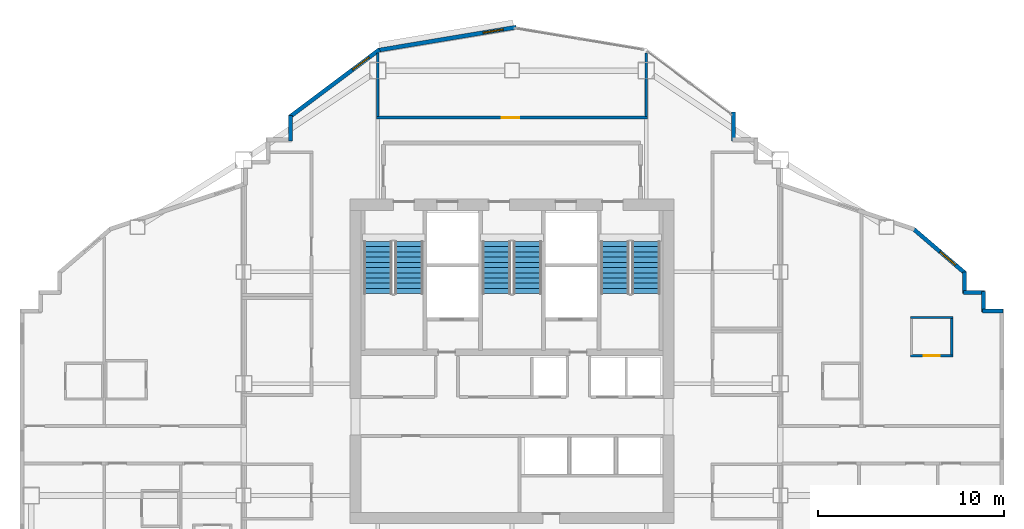
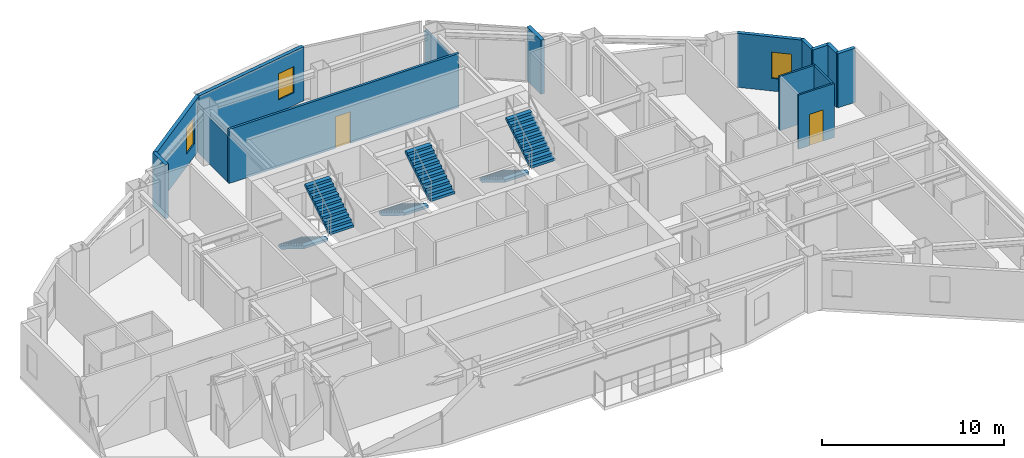
# One storey, part 9 of 11: 15 walls, 6 stair flights, 3 windows, 2 doors, 5 openings, 3 elements without a shape of their own.
"""IFC4 building model written with IfcOpenShell, lengths in metres."""

from ifc_helpers import new_model, si_unit, direction, frame, frame_2d, origin, place, context, subcontext, project, spatial, polyline, rectangle, outline, extrude, material, layer, layer_set, type_object, element, fill, aggregate, save


model = new_model("IFC4")

# Units and contexts
model_context = context("Model", 3, precision=1e-05, world=origin(), true_north=direction((0.0, 1.0)))
body_context = subcontext(model_context, "Body", "Model", "MODEL_VIEW")
ifc_project = project(units=[si_unit("LENGTHUNIT", "METRE"), si_unit("AREAUNIT", "SQUARE_METRE"), si_unit("VOLUMEUNIT", "CUBIC_METRE"), si_unit("PLANEANGLEUNIT", "RADIAN"), si_unit("MASSUNIT", "GRAM", prefix="KILO")], contexts=[model_context])

# Site, building, storey
site_placement = place(None, origin())
site = spatial("IfcSite", under=ifc_project, at=site_placement, CompositionType="ELEMENT")
building_placement = place(site_placement, origin())
building = spatial("IfcBuilding", under=site, at=building_placement, Name="Haolan Belvedere Tower", CompositionType="ELEMENT")
storey_placement = place(building_placement, frame((0.0, 0.0, 199.39990234375)))
storey = spatial("IfcBuildingStorey", under=building, at=storey_placement, Name="L50", CompositionType="ELEMENT", Elevation=199.39990234375)

# Walls
ifc_material_1 = material(Name="Precast concrete C40/50", Category="concrete")
ifc_layer_1 = layer(ifc_material_1, 0.219970703125, Name="Precast concrete C40/50")
ifc_layer_set_1 = layer_set([ifc_layer_1], Name="Precast concrete C40/50")
wall_type_1 = type_object("IfcWallType", Name="WL-EXT-220", PredefinedType="SOLIDWALL", material=ifc_layer_set_1)
wall_1_placement = place(storey_placement, frame((64.7451171875, 37.489990234375, 0.0), z_axis=(0.0, 0.0, 1.0), x_axis=(-1.0, 0.0, 0.0)))
element("IfcWall", 1, at=wall_1_placement, inside=storey, type_object=wall_type_1, Name="L50 pale-metal exterior spandrel wall 9.1", PredefinedType="SOLIDWALL", context=body_context, shape_type="SweptSolid", body=[
    extrude(rectangle(XDim=1.110107421875, YDim=0.219970703125, at=frame_2d((0.55517578125, 0.0))), origin(), (0.0, 0.0, 1.0), 3.6201171875),
])
wall_2_placement = place(storey_placement, frame((63.68994140625, 37.43505859375, 0.0), z_axis=(0.0, 0.0, 1.0), x_axis=(0.0, 1.0, 0.0)))
element("IfcWall", 2, at=wall_2_placement, inside=storey, type_object=wall_type_1, Name="L50 pale-metal exterior spandrel wall 10.1", PredefinedType="SOLIDWALL", context=body_context, shape_type="SweptSolid", body=[
    extrude(rectangle(XDim=1.10986328125, YDim=0.219970703125, at=frame_2d((0.554931640625, 0.0))), origin(), (0.0, 0.0, 1.0), 3.6201171875),
])
wall_3_placement = place(storey_placement, frame((63.7451171875, 38.489990234375, 0.0), z_axis=(0.0, 0.0, 1.0), x_axis=(-1.0, 0.0, 0.0)))
element("IfcWall", 3, at=wall_3_placement, inside=storey, type_object=wall_type_1, Name="L50 pale-metal exterior spandrel wall 11.1", PredefinedType="SOLIDWALL", context=body_context, shape_type="SweptSolid", body=[
    extrude(rectangle(XDim=1.110107421875, YDim=0.219970703125, at=frame_2d((0.55517578125, 0.0))), origin(), (0.0, 0.0, 1.0), 3.6201171875),
])
wall_4_placement = place(storey_placement, frame((62.68994140625, 38.43505859375, 0.0), z_axis=(0.0, 0.0, 1.0), x_axis=(0.0, 1.0, 0.0)))
element("IfcWall", 4, at=wall_4_placement, inside=storey, type_object=wall_type_1, Name="L50 pale-metal exterior spandrel wall 12.1", PredefinedType="SOLIDWALL", context=body_context, shape_type="SweptSolid", body=[
    extrude(rectangle(XDim=1.16943359375, YDim=0.219970703125, at=frame_2d((0.584716796875, 0.0))), origin(), (0.0, 0.0, 1.0), 3.6201171875),
])

# Wall, opening, window
wall_5_placement = place(storey_placement, frame((62.731689453125, 39.513671875, 0.0), z_axis=(0.0, 0.0, 1.0), x_axis=(-0.759251976569, 0.65079677018, 0.0)))
wall_5 = element("IfcWall", 5, at=wall_5_placement, inside=storey, type_object=wall_type_1, Name="L50 pale-metal exterior spandrel wall 13.1", PredefinedType="SOLIDWALL", context=body_context, shape_type="SweptSolid", body=[
    extrude(rectangle(XDim=3.7255859375, YDim=0.219970703125, at=frame_2d((1.86279296875, 0.0))), origin(), (0.0, 0.0, 1.0), 3.6201171875),
])
opening_1_placement = place(wall_5_placement, frame((0.699951171875, 0.0, 0.85009765625)))
opening_1 = element("IfcOpeningElement", 6, at=opening_1_placement, cuts=wall_5, Name="Opening W-03", PredefinedType="OPENING", context=body_context, shape_type="SweptSolid", body=[
    extrude(rectangle(XDim=1.10009765625, YDim=1.75, at=frame_2d((0.550048828125, 0.875))), frame((0.0, 0.119873046875, 0.0), z_axis=(0.0, -1.0, 0.0), x_axis=(1.0, 0.0, 0.0)), (0.0, 0.0, 1.0), 0.239990234375),
])
ifc_material_2 = material(Name="Anodised aluminium 6063-T6 and Low-E glass", Category="aluminium")
window_type = type_object("IfcWindowType", Name="WN-DECO-Z3", PartitioningType="SINGLE_PANEL", PredefinedType="WINDOW", material=ifc_material_2)
window_1_placement = place(opening_1_placement, origin())
window_1 = element("IfcWindow", 7, at=window_1_placement, inside=storey, type_object=window_type, Name="L50 Art Deco chevron window 1", OverallHeight=1.75, OverallWidth=1.10009765625, PartitioningType="SINGLE_PANEL", PredefinedType="WINDOW", context=body_context, shape_type="SweptSolid", body=[
    extrude(rectangle(XDim=1.10009765625, YDim=1.75, at=frame_2d((0.550048828125, 0.875))), frame((0.0, 0.030029296875, 0.0), z_axis=(0.0, -1.0, 0.0), x_axis=(1.0, 0.0, 0.0)), (0.0, 0.0, 1.0), 0.06005859375),
])
fill(opening_1, window_1)

# Wall
wall_6_placement = place(storey_placement, frame((50.2900390625, 46.635009765625, 0.0), z_axis=(0.0, 0.0, 1.0), x_axis=(0.0, 1.0, 0.0)))
element("IfcWall", 8, at=wall_6_placement, inside=storey, type_object=wall_type_1, Name="L50 pale-metal exterior spandrel wall 19.1", PredefinedType="SOLIDWALL", context=body_context, shape_type="SweptSolid", body=[
    extrude(rectangle(XDim=1.534912109375, YDim=0.219970703125, at=frame_2d((0.767578125, 0.0))), origin(), (0.0, 0.0, 1.0), 3.6201171875),
])

# Wall, opening, window
wall_7_placement = place(storey_placement, frame((38.621826171875, 52.7255859375, 0.0), z_axis=(0.0, 0.0, 1.0), x_axis=(-0.986390420428, -0.164420006349, 0.0)))
wall_7 = element("IfcWall", 9, at=wall_7_placement, inside=storey, type_object=wall_type_1, Name="L50 pale-metal exterior spandrel wall 22.1", PredefinedType="SOLIDWALL", context=body_context, shape_type="SweptSolid", body=[
    extrude(rectangle(XDim=7.5341796875, YDim=0.219970703125, at=frame_2d((3.76708984375, 0.0))), origin(), (0.0, 0.0, 1.0), 3.6201171875),
])
opening_2_placement = place(wall_7_placement, frame((0.699951171875, 0.0, 0.85009765625)))
opening_2 = element("IfcOpeningElement", 10, at=opening_2_placement, cuts=wall_7, Name="Opening W-03", PredefinedType="OPENING", context=body_context, shape_type="SweptSolid", body=[
    extrude(rectangle(XDim=1.10009765625, YDim=1.75, at=frame_2d((0.550048828125, 0.875))), frame((0.0, 0.119873046875, 0.0), z_axis=(0.0, -1.0, 0.0), x_axis=(1.0, 0.0, 0.0)), (0.0, 0.0, 1.0), 0.239990234375),
])
window_2_placement = place(opening_2_placement, origin())
window_2 = element("IfcWindow", 11, at=window_2_placement, inside=storey, type_object=window_type, Name="L50 Art Deco chevron window 1", OverallHeight=1.75, OverallWidth=1.10009765625, PartitioningType="SINGLE_PANEL", PredefinedType="WINDOW", context=body_context, shape_type="SweptSolid", body=[
    extrude(rectangle(XDim=1.10009765625, YDim=1.75, at=frame_2d((0.550048828125, 0.875))), frame((0.0, 0.030029296875, 0.0), z_axis=(0.0, -1.0, 0.0), x_axis=(1.0, 0.0, 0.0)), (0.0, 0.0, 1.0), 0.06005859375),
])
fill(opening_2, window_2)

wall_8_placement = place(storey_placement, frame((31.28857421875, 51.52880859375, 0.0), z_axis=(0.0, 0.0, 1.0), x_axis=(-0.800014580093, -0.599980559383, 0.0)))
wall_8 = element("IfcWall", 12, at=wall_8_placement, inside=storey, type_object=wall_type_1, Name="L50 pale-metal exterior spandrel wall 23.1", PredefinedType="SOLIDWALL", context=body_context, shape_type="SweptSolid", body=[
    extrude(rectangle(XDim=6.028076171875, YDim=0.219970703125, at=frame_2d((3.01416015625, 0.0))), origin(), (0.0, 0.0, 1.0), 3.6201171875),
])
opening_3_placement = place(wall_8_placement, frame((0.699951171875, 0.0, 0.85009765625)))
opening_3 = element("IfcOpeningElement", 13, at=opening_3_placement, cuts=wall_8, Name="Opening W-03", PredefinedType="OPENING", context=body_context, shape_type="SweptSolid", body=[
    extrude(rectangle(XDim=1.10009765625, YDim=1.75, at=frame_2d((0.550048828125, 0.875))), frame((0.0, 0.119873046875, 0.0), z_axis=(0.0, -1.0, 0.0), x_axis=(1.0, 0.0, 0.0)), (0.0, 0.0, 1.0), 0.239990234375),
])
window_3_placement = place(opening_3_placement, origin())
window_3 = element("IfcWindow", 14, at=window_3_placement, inside=storey, type_object=window_type, Name="L50 Art Deco chevron window 1", OverallHeight=1.75, OverallWidth=1.10009765625, PartitioningType="SINGLE_PANEL", PredefinedType="WINDOW", context=body_context, shape_type="SweptSolid", body=[
    extrude(rectangle(XDim=1.10009765625, YDim=1.75, at=frame_2d((0.550048828125, 0.875))), frame((0.0, 0.030029296875, 0.0), z_axis=(0.0, -1.0, 0.0), x_axis=(1.0, 0.0, 0.0)), (0.0, 0.0, 1.0), 0.06005859375),
])
fill(opening_3, window_3)

# Wall
wall_9_placement = place(storey_placement, frame((26.510009765625, 48.0, 0.0), z_axis=(0.0, 0.0, 1.0), x_axis=(0.0, -1.0, 0.0)))
element("IfcWall", 15, at=wall_9_placement, inside=storey, type_object=wall_type_1, Name="L50 pale-metal exterior spandrel wall 24.1", PredefinedType="SOLIDWALL", context=body_context, shape_type="SweptSolid", body=[
    extrude(rectangle(XDim=1.364990234375, YDim=0.219970703125, at=frame_2d((0.6826171875, 0.0))), origin(), (0.0, 0.0, 1.0), 3.6201171875),
])

# Wall, opening, door
ifc_material_3 = material(Name="Double gypsum acoustic stud partition", Category="masonry")
ifc_layer_2 = layer(ifc_material_3, 0.14990234375, Name="Double gypsum acoustic stud partition")
ifc_layer_set_2 = layer_set([ifc_layer_2], Name="Double gypsum acoustic stud partition")
wall_type_2 = type_object("IfcWallType", Name="WL-PART-150", PredefinedType="PARTITIONING", material=ifc_layer_set_2)
wall_10_placement = place(storey_placement, frame((31.1201171875, 47.8798828125, 0.0), z_axis=(0.0, 0.0, 1.0), x_axis=(1.0, 0.0, 0.0)))
wall_10 = element("IfcWall", 16, at=wall_10_placement, inside=storey, type_object=wall_type_2, Name="L50 interior partition IW-L50-KN2-S", PredefinedType="PARTITIONING", context=body_context, shape_type="SweptSolid", body=[
    extrude(rectangle(XDim=14.559814453125, YDim=0.14990234375, at=frame_2d((7.27978515625, 0.0))), origin(), (0.0, 0.0, 1.0), 3.6201171875),
])
opening_4_placement = place(wall_10_placement, frame((6.72509765625, 0.0, 0.0)))
opening_4 = element("IfcOpeningElement", 17, at=opening_4_placement, cuts=wall_10, Name="Opening ID-03", PredefinedType="OPENING", context=body_context, shape_type="SweptSolid", body=[
    extrude(rectangle(XDim=0.949951171875, YDim=2.1201171875, at=frame_2d((0.47509765625, 1.06005859375))), frame((0.0, 0.0849609375, 0.0), z_axis=(0.0, -1.0, 0.0), x_axis=(1.0, 0.0, 0.0)), (0.0, 0.0, 1.0), 0.169921875),
])
ifc_material_4 = material(Name="Painted solid-core timber", Category="wood")
door_type_1 = type_object("IfcDoorType", Name="DR-INT-950", OperationType="NOTDEFINED", PredefinedType="DOOR", material=ifc_material_4)
door_1_placement = place(opening_4_placement, origin())
door_1 = element("IfcDoor", 18, at=door_1_placement, inside=storey, type_object=door_type_1, Name="L50 door ID-L50-KN2", OperationType="SINGLE_SWING_RIGHT", OverallHeight=2.1201171875, OverallWidth=0.949951171875, PredefinedType="DOOR", context=body_context, shape_type="SweptSolid", body=[
    extrude(rectangle(XDim=0.949951171875, YDim=2.1201171875, at=frame_2d((0.47509765625, 1.06005859375))), frame((0.0, 0.02490234375, 0.0), z_axis=(0.0, -1.0, 0.0), x_axis=(1.0, 0.0, 0.0)), (0.0, 0.0, 1.0), 0.050048828125),
])
fill(opening_4, door_1)

# Walls
for number, where, z_axis, x_axis, name in (
    (19, (31.199951171875, 47.93994140625, 0.0), (0.0, 0.0, 1.0), (0.0, 1.0, 0.0), "L50 interior partition IW-L50-KN2-W"),
    (20, (45.60009765625, 47.93994140625, 0.0), (0.0, 0.0, 1.0), (0.0, 1.0, 0.0), "L50 interior partition IW-L50-KN2-E"),
):
    element("IfcWall", number, at=place(storey_placement, frame(where, z_axis=z_axis, x_axis=x_axis)), inside=storey, type_object=wall_type_2, Name=name, PredefinedType="PARTITIONING", context=body_context, shape_type="SweptSolid", body=[
        extrude(rectangle(XDim=3.39501953125, YDim=0.14990234375, at=frame_2d((1.697509765625, 0.0))), origin(), (0.0, 0.0, 1.0), 3.10498046875),
    ])
ifc_material_5 = material(Name="Moisture-resistant gypsum tile partition", Category="masonry")
ifc_layer_3 = layer(ifc_material_5, 0.1201171875, Name="Moisture-resistant gypsum tile partition")
ifc_layer_set_3 = layer_set([ifc_layer_3], Name="Moisture-resistant gypsum tile partition")
wall_type_3 = type_object("IfcWallType", Name="WL-WET-120", PredefinedType="PARTITIONING", material=ifc_layer_set_3)
wall_11_placement = place(storey_placement, frame((59.782958984375, 37.14501953125, 0.0), z_axis=(0.0, 0.0, 1.0), x_axis=(1.0, 0.0, 0.0)))
element("IfcWall", 21, at=wall_11_placement, inside=storey, type_object=wall_type_3, Name="L50 interior partition IW-L50-T4N2-BN", PredefinedType="PARTITIONING", context=body_context, shape_type="SweptSolid", body=[
    extrude(rectangle(XDim=2.27001953125, YDim=0.1201171875, at=frame_2d((1.135009765625, 0.0))), origin(), (0.0, 0.0, 1.0), 3.6201171875),
])

# Wall, opening, door
wall_12_placement = place(storey_placement, frame((59.782958984375, 35.094970703125, 0.0), z_axis=(0.0, 0.0, 1.0), x_axis=(1.0, 0.0, 0.0)))
wall_12 = element("IfcWall", 22, at=wall_12_placement, inside=storey, type_object=wall_type_3, Name="L50 interior partition IW-L50-T4N2-BS", PredefinedType="PARTITIONING", context=body_context, shape_type="SweptSolid", body=[
    extrude(rectangle(XDim=2.27001953125, YDim=0.1201171875, at=frame_2d((1.135009765625, 0.0))), origin(), (0.0, 0.0, 1.0), 3.6201171875),
])
opening_5_placement = place(wall_12_placement, frame((0.7099609375, 0.0, 0.0)))
opening_5 = element("IfcOpeningElement", 23, at=opening_5_placement, cuts=wall_12, Name="Opening ID-05", PredefinedType="OPENING", context=body_context, shape_type="SweptSolid", body=[
    extrude(rectangle(XDim=0.85009765625, YDim=2.10009765625, at=frame_2d((0.425048828125, 1.050048828125))), frame((0.0, 0.070068359375, 0.0), z_axis=(0.0, -1.0, 0.0), x_axis=(1.0, 0.0, 0.0)), (0.0, 0.0, 1.0), 0.14013671875),
])
ifc_material_6 = material(Name="Moisture-resistant lacquered timber", Category="wood")
door_type_2 = type_object("IfcDoorType", Name="DR-BATH-850", OperationType="NOTDEFINED", PredefinedType="DOOR", material=ifc_material_6)
door_2_placement = place(opening_5_placement, origin())
door_2 = element("IfcDoor", 24, at=door_2_placement, inside=storey, type_object=door_type_2, Name="L50 door ID-L50-T4N2-BATH", OperationType="SINGLE_SWING_LEFT", OverallHeight=2.10009765625, OverallWidth=0.85009765625, PredefinedType="DOOR", context=body_context, shape_type="SweptSolid", body=[
    extrude(rectangle(XDim=0.85009765625, YDim=2.10009765625, at=frame_2d((0.425048828125, 1.050048828125))), frame((0.0, 0.02490234375, 0.0), z_axis=(0.0, -1.0, 0.0), x_axis=(1.0, 0.0, 0.0)), (0.0, 0.0, 1.0), 0.050048828125),
])
fill(opening_5, door_2)

# Wall
wall_13_placement = place(storey_placement, frame((61.992919921875, 35.139892578125, 0.0), z_axis=(0.0, 0.0, 1.0), x_axis=(0.0, 1.0, 0.0)))
element("IfcWall", 25, at=wall_13_placement, inside=storey, type_object=wall_type_3, Name="L50 interior partition IW-L50-T4N2-BE", PredefinedType="PARTITIONING", context=body_context, shape_type="SweptSolid", body=[
    extrude(rectangle(XDim=1.960205078125, YDim=0.1201171875, at=frame_2d((0.97998046875, 0.0))), origin(), (0.0, 0.0, 1.0), 3.6201171875),
])

# Stair, stair flights
ifc_material_7 = material(Name="Concrete C40/50", Category="concrete")
stair_type = type_object("IfcStairType", Name="STR-DL-22R-173", PredefinedType="HALF_TURN_STAIR", material=ifc_material_7)
stair_1_placement = place(storey_placement, origin())
stair_1 = element("IfcStair", 26, at=stair_1_placement, inside=storey, type_object=stair_type, Name="L50 Smokeproof Core Exit Stair ST1", PredefinedType="HALF_TURN_STAIR")
stair_flight_type = type_object("IfcStairFlightType", Name="SFL-DL-11R-173", PredefinedType="STRAIGHT", material=ifc_material_7)
stair_flight_1_placement = place(storey_placement, frame((31.2099609375, 41.22998046875, 0.0), z_axis=(0.0, 0.0, 1.0), x_axis=(0.0, -1.0, 0.0)))
stair_flight_1 = element("IfcStairFlight", 27, at=stair_flight_1_placement, type_object=stair_flight_type, Name="ST1 flight 1", NumberOfRisers=11, NumberOfTreads=10, PredefinedType="STRAIGHT", RiserHeight=0.172727273, TreadLength=0.28, context=body_context, shape_type="SweptSolid", body=[
    extrude(outline(polyline([(0.0, 0.0), (0.0, 0.172607421875), (0.280029296875, 0.172607421875), (0.280029296875, 0.345458984375), (0.56005859375, 0.345458984375), (0.56005859375, 0.51806640625), (0.840087890625, 0.51806640625), (0.840087890625, 0.69091796875), (1.1201171875, 0.69091796875), (1.1201171875, 0.863525390625), (1.39990234375, 0.863525390625), (1.39990234375, 1.036376953125), (1.679931640625, 1.036376953125), (1.679931640625, 1.208984375), (1.9599609375, 1.208984375), (1.9599609375, 1.3818359375), (2.239990234375, 1.3818359375), (2.239990234375, 1.554443359375), (2.52001953125, 1.554443359375), (2.52001953125, 1.727294921875), (2.800048828125, 1.727294921875), (2.800048828125, 1.89990234375), (2.800048828125, 1.551025390625), (0.285400390625, 0.0), (0.0, 0.0)])), frame((0.0, 0.760009765625, 0.0), z_axis=(0.0, -1.0, 0.0), x_axis=(1.0, 0.0, 0.0)), (0.0, 0.0, 1.0), 1.52001953125),
])
stair_flight_2_placement = place(storey_placement, frame((32.8701171875, 38.429931640625, 1.900146484375), z_axis=(0.0, 0.0, 1.0), x_axis=(0.0, 1.0, 0.0)))
stair_flight_2 = element("IfcStairFlight", 28, at=stair_flight_2_placement, type_object=stair_flight_type, Name="ST1 flight 2", NumberOfRisers=11, NumberOfTreads=10, PredefinedType="STRAIGHT", RiserHeight=0.172727273, TreadLength=0.28, context=body_context, shape_type="SweptSolid", body=[
    extrude(outline(polyline([(0.0, 0.0), (0.0, 0.172607421875), (0.280029296875, 0.172607421875), (0.280029296875, 0.345458984375), (0.56005859375, 0.345458984375), (0.56005859375, 0.51806640625), (0.840087890625, 0.51806640625), (0.840087890625, 0.69091796875), (1.1201171875, 0.69091796875), (1.1201171875, 0.863525390625), (1.39990234375, 0.863525390625), (1.39990234375, 1.036376953125), (1.679931640625, 1.036376953125), (1.679931640625, 1.208984375), (1.9599609375, 1.208984375), (1.9599609375, 1.3818359375), (2.239990234375, 1.3818359375), (2.239990234375, 1.554443359375), (2.52001953125, 1.554443359375), (2.52001953125, 1.727294921875), (2.800048828125, 1.727294921875), (2.800048828125, 1.89990234375), (2.800048828125, 1.551025390625), (0.285400390625, 0.0), (0.0, 0.0)])), frame((0.0, 0.760009765625, 0.0), z_axis=(0.0, -1.0, 0.0), x_axis=(1.0, 0.0, 0.0)), (0.0, 0.0, 1.0), 1.52001953125),
])
aggregate(stair_1, [stair_flight_1, stair_flight_2])

stair_2_placement = place(storey_placement, origin())
stair_2 = element("IfcStair", 29, at=stair_2_placement, inside=storey, type_object=stair_type, Name="L50 Smokeproof Core Exit Stair ST3", PredefinedType="HALF_TURN_STAIR")
stair_flight_3_placement = place(storey_placement, frame((37.570068359375, 41.22998046875, 0.0), z_axis=(0.0, 0.0, 1.0), x_axis=(0.0, -1.0, 0.0)))
stair_flight_3 = element("IfcStairFlight", 30, at=stair_flight_3_placement, type_object=stair_flight_type, Name="ST3 flight 1", NumberOfRisers=11, NumberOfTreads=10, PredefinedType="STRAIGHT", RiserHeight=0.172727273, TreadLength=0.28, context=body_context, shape_type="SweptSolid", body=[
    extrude(outline(polyline([(0.0, 0.0), (0.0, 0.172607421875), (0.280029296875, 0.172607421875), (0.280029296875, 0.345458984375), (0.56005859375, 0.345458984375), (0.56005859375, 0.51806640625), (0.840087890625, 0.51806640625), (0.840087890625, 0.69091796875), (1.1201171875, 0.69091796875), (1.1201171875, 0.863525390625), (1.39990234375, 0.863525390625), (1.39990234375, 1.036376953125), (1.679931640625, 1.036376953125), (1.679931640625, 1.208984375), (1.9599609375, 1.208984375), (1.9599609375, 1.3818359375), (2.239990234375, 1.3818359375), (2.239990234375, 1.554443359375), (2.52001953125, 1.554443359375), (2.52001953125, 1.727294921875), (2.800048828125, 1.727294921875), (2.800048828125, 1.89990234375), (2.800048828125, 1.551025390625), (0.285400390625, 0.0), (0.0, 0.0)])), frame((0.0, 0.760009765625, 0.0), z_axis=(0.0, -1.0, 0.0), x_axis=(1.0, 0.0, 0.0)), (0.0, 0.0, 1.0), 1.52001953125),
])
stair_flight_4_placement = place(storey_placement, frame((39.22998046875, 38.429931640625, 1.900146484375), z_axis=(0.0, 0.0, 1.0), x_axis=(0.0, 1.0, 0.0)))
stair_flight_4 = element("IfcStairFlight", 31, at=stair_flight_4_placement, type_object=stair_flight_type, Name="ST3 flight 2", NumberOfRisers=11, NumberOfTreads=10, PredefinedType="STRAIGHT", RiserHeight=0.172727273, TreadLength=0.28, context=body_context, shape_type="SweptSolid", body=[
    extrude(outline(polyline([(0.0, 0.0), (0.0, 0.172607421875), (0.280029296875, 0.172607421875), (0.280029296875, 0.345458984375), (0.56005859375, 0.345458984375), (0.56005859375, 0.51806640625), (0.840087890625, 0.51806640625), (0.840087890625, 0.69091796875), (1.1201171875, 0.69091796875), (1.1201171875, 0.863525390625), (1.39990234375, 0.863525390625), (1.39990234375, 1.036376953125), (1.679931640625, 1.036376953125), (1.679931640625, 1.208984375), (1.9599609375, 1.208984375), (1.9599609375, 1.3818359375), (2.239990234375, 1.3818359375), (2.239990234375, 1.554443359375), (2.52001953125, 1.554443359375), (2.52001953125, 1.727294921875), (2.800048828125, 1.727294921875), (2.800048828125, 1.89990234375), (2.800048828125, 1.551025390625), (0.285400390625, 0.0), (0.0, 0.0)])), frame((0.0, 0.760009765625, 0.0), z_axis=(0.0, -1.0, 0.0), x_axis=(1.0, 0.0, 0.0)), (0.0, 0.0, 1.0), 1.52001953125),
])
aggregate(stair_2, [stair_flight_3, stair_flight_4])

stair_3_placement = place(storey_placement, origin())
stair_3 = element("IfcStair", 32, at=stair_3_placement, inside=storey, type_object=stair_type, Name="L50 Smokeproof Core Exit Stair ST2", PredefinedType="HALF_TURN_STAIR")
stair_flight_5_placement = place(storey_placement, frame((43.929931640625, 41.22998046875, 0.0), z_axis=(0.0, 0.0, 1.0), x_axis=(0.0, -1.0, 0.0)))
stair_flight_5 = element("IfcStairFlight", 33, at=stair_flight_5_placement, type_object=stair_flight_type, Name="ST2 flight 1", NumberOfRisers=11, NumberOfTreads=10, PredefinedType="STRAIGHT", RiserHeight=0.172727273, TreadLength=0.28, context=body_context, shape_type="SweptSolid", body=[
    extrude(outline(polyline([(0.0, 0.0), (0.0, 0.172607421875), (0.280029296875, 0.172607421875), (0.280029296875, 0.345458984375), (0.56005859375, 0.345458984375), (0.56005859375, 0.51806640625), (0.840087890625, 0.51806640625), (0.840087890625, 0.69091796875), (1.1201171875, 0.69091796875), (1.1201171875, 0.863525390625), (1.39990234375, 0.863525390625), (1.39990234375, 1.036376953125), (1.679931640625, 1.036376953125), (1.679931640625, 1.208984375), (1.9599609375, 1.208984375), (1.9599609375, 1.3818359375), (2.239990234375, 1.3818359375), (2.239990234375, 1.554443359375), (2.52001953125, 1.554443359375), (2.52001953125, 1.727294921875), (2.800048828125, 1.727294921875), (2.800048828125, 1.89990234375), (2.800048828125, 1.551025390625), (0.285400390625, 0.0), (0.0, 0.0)])), frame((0.0, 0.760009765625, 0.0), z_axis=(0.0, -1.0, 0.0), x_axis=(1.0, 0.0, 0.0)), (0.0, 0.0, 1.0), 1.52001953125),
])
stair_flight_6_placement = place(storey_placement, frame((45.590087890625, 38.429931640625, 1.900146484375), z_axis=(0.0, 0.0, 1.0), x_axis=(0.0, 1.0, 0.0)))
stair_flight_6 = element("IfcStairFlight", 34, at=stair_flight_6_placement, type_object=stair_flight_type, Name="ST2 flight 2", NumberOfRisers=11, NumberOfTreads=10, PredefinedType="STRAIGHT", RiserHeight=0.172727273, TreadLength=0.28, context=body_context, shape_type="SweptSolid", body=[
    extrude(outline(polyline([(0.0, 0.0), (0.0, 0.172607421875), (0.280029296875, 0.172607421875), (0.280029296875, 0.345458984375), (0.56005859375, 0.345458984375), (0.56005859375, 0.51806640625), (0.840087890625, 0.51806640625), (0.840087890625, 0.69091796875), (1.1201171875, 0.69091796875), (1.1201171875, 0.863525390625), (1.39990234375, 0.863525390625), (1.39990234375, 1.036376953125), (1.679931640625, 1.036376953125), (1.679931640625, 1.208984375), (1.9599609375, 1.208984375), (1.9599609375, 1.3818359375), (2.239990234375, 1.3818359375), (2.239990234375, 1.554443359375), (2.52001953125, 1.554443359375), (2.52001953125, 1.727294921875), (2.800048828125, 1.727294921875), (2.800048828125, 1.89990234375), (2.800048828125, 1.551025390625), (0.285400390625, 0.0), (0.0, 0.0)])), frame((0.0, 0.760009765625, 0.0), z_axis=(0.0, -1.0, 0.0), x_axis=(1.0, 0.0, 0.0)), (0.0, 0.0, 1.0), 1.52001953125),
])
aggregate(stair_3, [stair_flight_5, stair_flight_6])

save(model, "model.ifc")
